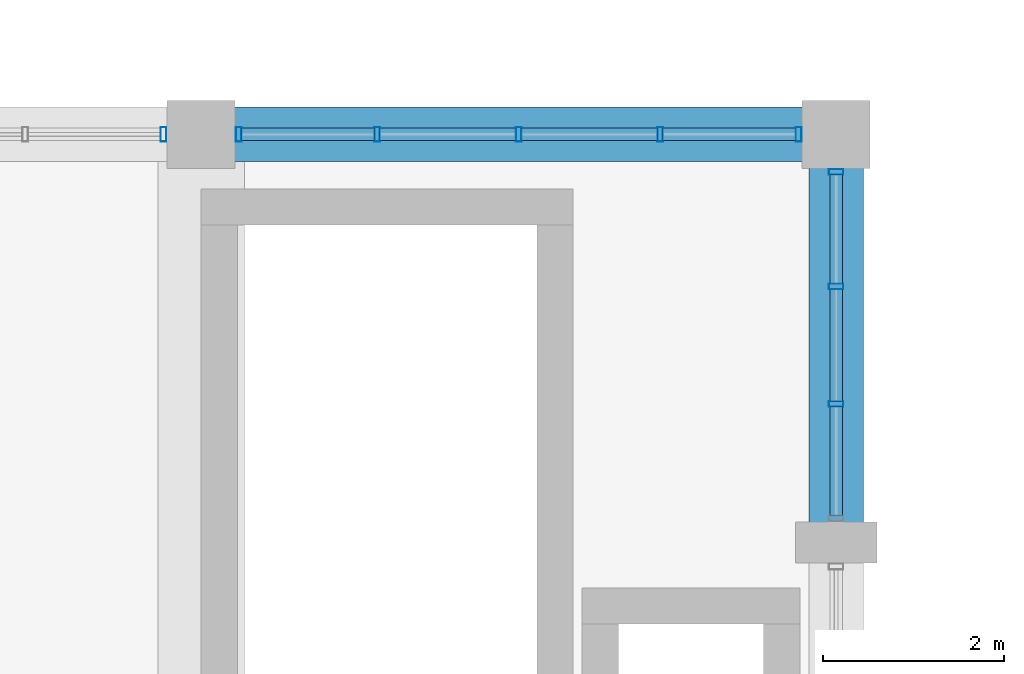
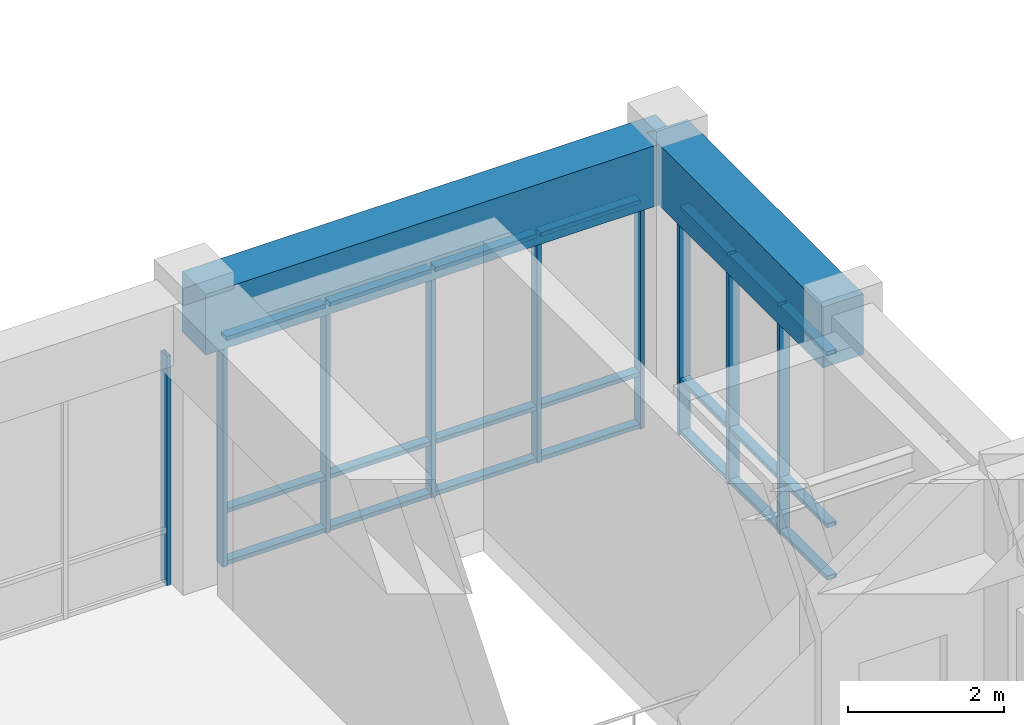
# One storey, part 61 of 99: 30 members, 2 beams, 3 elements without a shape of their own.
"""IFC4 building model written with IfcOpenShell, lengths in metres."""

from ifc_helpers import new_model, si_unit, direction, frame, origin, origin_2d, place, context, subcontext, project, spatial, rectangle, hollow_rectangle, extrude, material, layer, layer_set, material_profile, profile_set, type_object, element, aggregate, save


model = new_model("IFC4")

# Units and contexts
model_context = context("Model", 3, precision=1e-05, world=origin(), true_north=direction((0.0, 1.0)))
body_context = subcontext(model_context, "Body", "Model", "MODEL_VIEW")
ifc_project = project(units=[si_unit("LENGTHUNIT", "METRE"), si_unit("AREAUNIT", "SQUARE_METRE"), si_unit("VOLUMEUNIT", "CUBIC_METRE"), si_unit("PLANEANGLEUNIT", "RADIAN"), si_unit("MASSUNIT", "GRAM", prefix="KILO")], contexts=[model_context])

# Site, building, storey
site_placement = place(None, origin())
site = spatial("IfcSite", under=ifc_project, at=site_placement, CompositionType="ELEMENT")
building_placement = place(site_placement, origin())
building = spatial("IfcBuilding", under=site, at=building_placement, Name="Ventoquebrada Cableway Terminal", CompositionType="ELEMENT")
storey_placement = place(building_placement, frame((0.0, 0.0, 9.60009765625)))
storey = spatial("IfcBuildingStorey", under=building, at=storey_placement, Name="L02", CompositionType="ELEMENT", Elevation=9.60009765625)

# Beams
ifc_material_1 = material(Name="Concrete C40/50", Category="concrete")
ifc_material_profile_1 = material_profile(ifc_material_1, rectangle(XDim=0.60009765625, YDim=0.949951171875, at=origin_2d()), Name="RC-BM-600X950")
ifc_profile_set_1 = profile_set([ifc_material_profile_1], Name="Concrete C40/50")
beam_type = type_object("IfcBeamType", Name="BM-RC05", PredefinedType="BEAM", material=ifc_profile_set_1)
beam_1_placement = place(storey_placement, frame((116.0, 104.0, 4.054931640625), z_axis=(1.0, 0.0, 0.0), x_axis=(0.0, 1.0, 0.0)))
element("IfcBeam", 1, at=beam_1_placement, inside=storey, type_object=beam_type, Name="Perimeter spandrel beam FBM-0679", PredefinedType="BEAM", context=body_context, shape_type="SweptSolid", body=[
    extrude(rectangle(XDim=0.60009765625, YDim=0.949951171875, at=origin_2d()), origin(), (0.0, 0.0, 1.0), 7.0),
])
beam_2_placement = place(storey_placement, frame((123.0, 99.5, 4.054931640625), z_axis=(0.0, 1.0, 0.0), x_axis=(-1.0, 0.0, 0.0)))
element("IfcBeam", 2, at=beam_2_placement, inside=storey, type_object=beam_type, Name="Perimeter spandrel beam FBM-0700", PredefinedType="BEAM", context=body_context, shape_type="SweptSolid", body=[
    extrude(rectangle(XDim=0.60009765625, YDim=0.949951171875, at=origin_2d()), origin(), (0.0, 0.0, 1.0), 4.5),
])

# Curtain wall, members
ifc_material_2 = material(Name="Anodized thermally-broken aluminium", Category="aluminium")
ifc_layer_1 = layer(ifc_material_2, 0.159912109375)
ifc_layer_set_1 = layer_set([ifc_layer_1], Name="Anodized thermally-broken aluminium")
curtain_wall_type_1 = type_object("IfcCurtainWallType", Name="CW-T28", PredefinedType="USERDEFINED", material=ifc_layer_set_1)
curtain_wall_1_placement = place(storey_placement, origin())
curtain_wall_1 = element("IfcCurtainWall", 3, at=curtain_wall_1_placement, inside=storey, type_object=curtain_wall_type_1, Name="Unitised glazed curtain wall CW-068", ObjectType="UNITISED CURTAIN WALL", PredefinedType="USERDEFINED")
ifc_material_profile_2 = material_profile(ifc_material_2, hollow_rectangle(XDim=0.06494140625, YDim=0.159912109375, WallThickness=0.00390625, at=origin_2d()), Name="CW-MUL-65X160")
ifc_profile_set_2 = profile_set([ifc_material_profile_2], Name="Anodized thermally-broken aluminium")
member_type_1 = type_object("IfcMemberType", Name="CWM-01", PredefinedType="MULLION", material=ifc_profile_set_2)
member_1_placement = place(storey_placement, frame((123.0, 101.027099609375, -0.008056640625), z_axis=(0.0, 0.0, 1.0), x_axis=(0.0, 1.0, 0.0)))
member_1 = element("IfcMember", 4, at=member_1_placement, type_object=member_type_1, Name="Curtain wall mullion FML-0317", PredefinedType="MULLION", context=body_context, shape_type="SweptSolid", body=[
    extrude(hollow_rectangle(XDim=0.06494140625, YDim=0.159912109375, WallThickness=0.00390625, at=origin_2d()), origin(), (0.0, 0.0, 1.0), 3.587890625),
])
member_2_placement = place(storey_placement, frame((123.0, 102.322998046875, -0.008056640625), z_axis=(0.0, 0.0, 1.0), x_axis=(0.0, 1.0, 0.0)))
member_2 = element("IfcMember", 5, at=member_2_placement, type_object=member_type_1, Name="Curtain wall mullion FML-0318", PredefinedType="MULLION", context=body_context, shape_type="SweptSolid", body=[
    extrude(hollow_rectangle(XDim=0.06494140625, YDim=0.159912109375, WallThickness=0.00390625, at=origin_2d()), origin(), (0.0, 0.0, 1.0), 3.587890625),
])
member_3_placement = place(storey_placement, frame((123.0, 103.5849609375, -0.008056640625), z_axis=(0.0, 0.0, 1.0), x_axis=(0.0, 1.0, 0.0)))
member_3 = element("IfcMember", 6, at=member_3_placement, type_object=member_type_1, Name="Curtain wall mullion FML-0319", PredefinedType="MULLION", context=body_context, shape_type="SweptSolid", body=[
    extrude(hollow_rectangle(XDim=0.06494140625, YDim=0.159912109375, WallThickness=0.00390625, at=origin_2d()), origin(), (0.0, 0.0, 1.0), 3.587890625),
])

# Curtain wall, member
ifc_layer_2 = layer(ifc_material_2, 0.159912109375)
ifc_layer_set_2 = layer_set([ifc_layer_2], Name="Anodized thermally-broken aluminium")
curtain_wall_type_2 = type_object("IfcCurtainWallType", Name="CW-T29", PredefinedType="USERDEFINED", material=ifc_layer_set_2)
curtain_wall_2_placement = place(storey_placement, origin())
curtain_wall_2 = element("IfcCurtainWall", 7, at=curtain_wall_2_placement, inside=storey, type_object=curtain_wall_type_2, Name="Unitised glazed curtain wall CW-071", ObjectType="UNITISED CURTAIN WALL", PredefinedType="USERDEFINED")
member_4_placement = place(storey_placement, frame((115.5849609375, 104.0, -0.008056640625), z_axis=(0.0, 0.0, 1.0), x_axis=(-1.0, 0.0, 0.0)))
member_4 = element("IfcMember", 8, at=member_4_placement, type_object=member_type_1, Name="Curtain wall mullion FML-0330", PredefinedType="MULLION", context=body_context, shape_type="SweptSolid", body=[
    extrude(hollow_rectangle(XDim=0.06494140625, YDim=0.159912109375, WallThickness=0.00390625, at=origin_2d()), origin(), (0.0, 0.0, 1.0), 3.587890625),
])
aggregate(curtain_wall_2, [member_4])

# Curtain wall, members
curtain_wall_3_placement = place(storey_placement, origin())
curtain_wall_3 = element("IfcCurtainWall", 9, at=curtain_wall_3_placement, inside=storey, type_object=curtain_wall_type_2, Name="Unitised glazed curtain wall CW-072", ObjectType="UNITISED CURTAIN WALL", PredefinedType="USERDEFINED")
member_5_placement = place(storey_placement, frame((122.5849609375, 104.0, -0.008056640625), z_axis=(0.0, 0.0, 1.0), x_axis=(-1.0, 0.0, 0.0)))
member_5 = element("IfcMember", 10, at=member_5_placement, type_object=member_type_1, Name="Curtain wall mullion FML-0335", PredefinedType="MULLION", context=body_context, shape_type="SweptSolid", body=[
    extrude(hollow_rectangle(XDim=0.06494140625, YDim=0.159912109375, WallThickness=0.00390625, at=origin_2d()), origin(), (0.0, 0.0, 1.0), 3.587890625),
])
member_6_placement = place(storey_placement, frame((121.06005859375, 104.0, -0.008056640625), z_axis=(0.0, 0.0, 1.0), x_axis=(-1.0, 0.0, 0.0)))
member_6 = element("IfcMember", 11, at=member_6_placement, type_object=member_type_1, Name="Curtain wall mullion FML-0336", PredefinedType="MULLION", context=body_context, shape_type="SweptSolid", body=[
    extrude(hollow_rectangle(XDim=0.06494140625, YDim=0.159912109375, WallThickness=0.00390625, at=origin_2d()), origin(), (0.0, 0.0, 1.0), 3.587890625),
])
member_7_placement = place(storey_placement, frame((119.5, 104.0, -0.008056640625), z_axis=(0.0, 0.0, 1.0), x_axis=(-1.0, 0.0, 0.0)))
member_7 = element("IfcMember", 12, at=member_7_placement, type_object=member_type_1, Name="Curtain wall mullion FML-0337", PredefinedType="MULLION", context=body_context, shape_type="SweptSolid", body=[
    extrude(hollow_rectangle(XDim=0.06494140625, YDim=0.159912109375, WallThickness=0.00390625, at=origin_2d()), origin(), (0.0, 0.0, 1.0), 3.587890625),
])
member_8_placement = place(storey_placement, frame((117.93994140625, 104.0, -0.008056640625), z_axis=(0.0, 0.0, 1.0), x_axis=(-1.0, 0.0, 0.0)))
member_8 = element("IfcMember", 13, at=member_8_placement, type_object=member_type_1, Name="Curtain wall mullion FML-0338", PredefinedType="MULLION", context=body_context, shape_type="SweptSolid", body=[
    extrude(hollow_rectangle(XDim=0.06494140625, YDim=0.159912109375, WallThickness=0.00390625, at=origin_2d()), origin(), (0.0, 0.0, 1.0), 3.587890625),
])
member_9_placement = place(storey_placement, frame((116.4150390625, 104.0, -0.008056640625), z_axis=(0.0, 0.0, 1.0), x_axis=(-1.0, 0.0, 0.0)))
member_9 = element("IfcMember", 14, at=member_9_placement, type_object=member_type_1, Name="Curtain wall mullion FML-0339", PredefinedType="MULLION", context=body_context, shape_type="SweptSolid", body=[
    extrude(hollow_rectangle(XDim=0.06494140625, YDim=0.159912109375, WallThickness=0.00390625, at=origin_2d()), origin(), (0.0, 0.0, 1.0), 3.587890625),
])

# Member
ifc_material_profile_3 = material_profile(ifc_material_2, hollow_rectangle(XDim=0.06494140625, YDim=0.139892578125, WallThickness=0.00390625, at=origin_2d()), Name="CW-TRN-65X140")
ifc_profile_set_3 = profile_set([ifc_material_profile_3], Name="Anodized thermally-broken aluminium")
member_type_2 = type_object("IfcMemberType", Name="CWT-01", PredefinedType="USERDEFINED", material=ifc_profile_set_3)
member_10_placement = place(storey_placement, frame((123.0, 99.79296875, 0.034912109375), z_axis=(0.0, 1.0, 0.0), x_axis=(0.0, 0.0, 1.0)))
member_10 = element("IfcMember", 15, at=member_10_placement, type_object=member_type_2, Name="Curtain wall transom FTR-0919", ObjectType="TRANSOM", PredefinedType="USERDEFINED", context=body_context, shape_type="SweptSolid", body=[
    extrude(hollow_rectangle(XDim=0.06494140625, YDim=0.139892578125, WallThickness=0.00390625, at=origin_2d()), origin(), (0.0, 0.0, 1.0), 1.2060546875),
])

member_11_placement = place(storey_placement, frame((123.0, 99.79296875, 0.849853515625), z_axis=(0.0, 1.0, 0.0), x_axis=(0.0, 0.0, 1.0)))
member_11 = element("IfcMember", 16, at=member_11_placement, type_object=member_type_2, Name="Curtain wall transom FTR-0920", ObjectType="TRANSOM", PredefinedType="USERDEFINED", context=body_context, shape_type="SweptSolid", body=[
    extrude(hollow_rectangle(XDim=0.06494140625, YDim=0.139892578125, WallThickness=0.00390625, at=origin_2d()), origin(), (0.0, 0.0, 1.0), 1.2060546875),
])

member_12_placement = place(storey_placement, frame((123.0, 99.79296875, 3.539794921875), z_axis=(0.0, 1.0, 0.0), x_axis=(0.0, 0.0, 1.0)))
member_12 = element("IfcMember", 17, at=member_12_placement, type_object=member_type_2, Name="Curtain wall transom FTR-0921", ObjectType="TRANSOM", PredefinedType="USERDEFINED", context=body_context, shape_type="SweptSolid", body=[
    extrude(hollow_rectangle(XDim=0.06494140625, YDim=0.139892578125, WallThickness=0.00390625, at=origin_2d()), origin(), (0.0, 0.0, 1.0), 1.2060546875),
])

member_13_placement = place(storey_placement, frame((123.0, 101.053955078125, 0.034912109375), z_axis=(0.0, 1.0, 0.0), x_axis=(0.0, 0.0, 1.0)))
member_13 = element("IfcMember", 18, at=member_13_placement, type_object=member_type_2, Name="Curtain wall transom FTR-0922", ObjectType="TRANSOM", PredefinedType="USERDEFINED", context=body_context, shape_type="SweptSolid", body=[
    extrude(hollow_rectangle(XDim=0.06494140625, YDim=0.139892578125, WallThickness=0.00390625, at=origin_2d()), origin(), (0.0, 0.0, 1.0), 1.241943359375),
])

member_14_placement = place(storey_placement, frame((123.0, 101.053955078125, 0.849853515625), z_axis=(0.0, 1.0, 0.0), x_axis=(0.0, 0.0, 1.0)))
member_14 = element("IfcMember", 19, at=member_14_placement, type_object=member_type_2, Name="Curtain wall transom FTR-0923", ObjectType="TRANSOM", PredefinedType="USERDEFINED", context=body_context, shape_type="SweptSolid", body=[
    extrude(hollow_rectangle(XDim=0.06494140625, YDim=0.139892578125, WallThickness=0.00390625, at=origin_2d()), origin(), (0.0, 0.0, 1.0), 1.241943359375),
])

member_15_placement = place(storey_placement, frame((123.0, 101.053955078125, 3.539794921875), z_axis=(0.0, 1.0, 0.0), x_axis=(0.0, 0.0, 1.0)))
member_15 = element("IfcMember", 20, at=member_15_placement, type_object=member_type_2, Name="Curtain wall transom FTR-0924", ObjectType="TRANSOM", PredefinedType="USERDEFINED", context=body_context, shape_type="SweptSolid", body=[
    extrude(hollow_rectangle(XDim=0.06494140625, YDim=0.139892578125, WallThickness=0.00390625, at=origin_2d()), origin(), (0.0, 0.0, 1.0), 1.241943359375),
])

member_16_placement = place(storey_placement, frame((123.0, 102.35107421875, 0.034912109375), z_axis=(0.0, 1.0, 0.0), x_axis=(0.0, 0.0, 1.0)))
member_16 = element("IfcMember", 21, at=member_16_placement, type_object=member_type_2, Name="Curtain wall transom FTR-0925", ObjectType="TRANSOM", PredefinedType="USERDEFINED", context=body_context, shape_type="SweptSolid", body=[
    extrude(hollow_rectangle(XDim=0.06494140625, YDim=0.139892578125, WallThickness=0.00390625, at=origin_2d()), origin(), (0.0, 0.0, 1.0), 1.20703125),
])

member_17_placement = place(storey_placement, frame((123.0, 102.35107421875, 0.849853515625), z_axis=(0.0, 1.0, 0.0), x_axis=(0.0, 0.0, 1.0)))
member_17 = element("IfcMember", 22, at=member_17_placement, type_object=member_type_2, Name="Curtain wall transom FTR-0926", ObjectType="TRANSOM", PredefinedType="USERDEFINED", context=body_context, shape_type="SweptSolid", body=[
    extrude(hollow_rectangle(XDim=0.06494140625, YDim=0.139892578125, WallThickness=0.00390625, at=origin_2d()), origin(), (0.0, 0.0, 1.0), 1.20703125),
])

member_18_placement = place(storey_placement, frame((123.0, 102.35107421875, 3.539794921875), z_axis=(0.0, 1.0, 0.0), x_axis=(0.0, 0.0, 1.0)))
member_18 = element("IfcMember", 23, at=member_18_placement, type_object=member_type_2, Name="Curtain wall transom FTR-0927", ObjectType="TRANSOM", PredefinedType="USERDEFINED", context=body_context, shape_type="SweptSolid", body=[
    extrude(hollow_rectangle(XDim=0.06494140625, YDim=0.139892578125, WallThickness=0.00390625, at=origin_2d()), origin(), (0.0, 0.0, 1.0), 1.20703125),
])

aggregate(curtain_wall_1, [member_1, member_2, member_3, member_10, member_11, member_12, member_13, member_14, member_15, member_16, member_17, member_18])

member_19_placement = place(storey_placement, frame((122.55810546875, 104.0, 0.034912109375), z_axis=(-1.0, 0.0, 0.0), x_axis=(0.0, 0.0, 1.0)))
member_19 = element("IfcMember", 24, at=member_19_placement, type_object=member_type_2, Name="Curtain wall transom FTR-0964", ObjectType="TRANSOM", PredefinedType="USERDEFINED", context=body_context, shape_type="SweptSolid", body=[
    extrude(hollow_rectangle(XDim=0.06494140625, YDim=0.139892578125, WallThickness=0.00390625, at=origin_2d()), origin(), (0.0, 0.0, 1.0), 1.47021484375),
])

member_20_placement = place(storey_placement, frame((122.55810546875, 104.0, 0.849853515625), z_axis=(-1.0, 0.0, 0.0), x_axis=(0.0, 0.0, 1.0)))
member_20 = element("IfcMember", 25, at=member_20_placement, type_object=member_type_2, Name="Curtain wall transom FTR-0965", ObjectType="TRANSOM", PredefinedType="USERDEFINED", context=body_context, shape_type="SweptSolid", body=[
    extrude(hollow_rectangle(XDim=0.06494140625, YDim=0.139892578125, WallThickness=0.00390625, at=origin_2d()), origin(), (0.0, 0.0, 1.0), 1.47021484375),
])

member_21_placement = place(storey_placement, frame((122.55810546875, 104.0, 3.539794921875), z_axis=(-1.0, 0.0, 0.0), x_axis=(0.0, 0.0, 1.0)))
member_21 = element("IfcMember", 26, at=member_21_placement, type_object=member_type_2, Name="Curtain wall transom FTR-0966", ObjectType="TRANSOM", PredefinedType="USERDEFINED", context=body_context, shape_type="SweptSolid", body=[
    extrude(hollow_rectangle(XDim=0.06494140625, YDim=0.139892578125, WallThickness=0.00390625, at=origin_2d()), origin(), (0.0, 0.0, 1.0), 1.47021484375),
])

member_22_placement = place(storey_placement, frame((121.031982421875, 104.0, 0.034912109375), z_axis=(-1.0, 0.0, 0.0), x_axis=(0.0, 0.0, 1.0)))
member_22 = element("IfcMember", 27, at=member_22_placement, type_object=member_type_2, Name="Curtain wall transom FTR-0967", ObjectType="TRANSOM", PredefinedType="USERDEFINED", context=body_context, shape_type="SweptSolid", body=[
    extrude(hollow_rectangle(XDim=0.06494140625, YDim=0.139892578125, WallThickness=0.00390625, at=origin_2d()), origin(), (0.0, 0.0, 1.0), 1.50390625),
])

member_23_placement = place(storey_placement, frame((121.031982421875, 104.0, 0.849853515625), z_axis=(-1.0, 0.0, 0.0), x_axis=(0.0, 0.0, 1.0)))
member_23 = element("IfcMember", 28, at=member_23_placement, type_object=member_type_2, Name="Curtain wall transom FTR-0968", ObjectType="TRANSOM", PredefinedType="USERDEFINED", context=body_context, shape_type="SweptSolid", body=[
    extrude(hollow_rectangle(XDim=0.06494140625, YDim=0.139892578125, WallThickness=0.00390625, at=origin_2d()), origin(), (0.0, 0.0, 1.0), 1.50390625),
])

member_24_placement = place(storey_placement, frame((121.031982421875, 104.0, 3.539794921875), z_axis=(-1.0, 0.0, 0.0), x_axis=(0.0, 0.0, 1.0)))
member_24 = element("IfcMember", 29, at=member_24_placement, type_object=member_type_2, Name="Curtain wall transom FTR-0969", ObjectType="TRANSOM", PredefinedType="USERDEFINED", context=body_context, shape_type="SweptSolid", body=[
    extrude(hollow_rectangle(XDim=0.06494140625, YDim=0.139892578125, WallThickness=0.00390625, at=origin_2d()), origin(), (0.0, 0.0, 1.0), 1.50390625),
])

member_25_placement = place(storey_placement, frame((119.471923828125, 104.0, 0.034912109375), z_axis=(-1.0, 0.0, 0.0), x_axis=(0.0, 0.0, 1.0)))
member_25 = element("IfcMember", 30, at=member_25_placement, type_object=member_type_2, Name="Curtain wall transom FTR-0970", ObjectType="TRANSOM", PredefinedType="USERDEFINED", context=body_context, shape_type="SweptSolid", body=[
    extrude(hollow_rectangle(XDim=0.06494140625, YDim=0.139892578125, WallThickness=0.00390625, at=origin_2d()), origin(), (0.0, 0.0, 1.0), 1.50390625),
])

member_26_placement = place(storey_placement, frame((119.471923828125, 104.0, 0.849853515625), z_axis=(-1.0, 0.0, 0.0), x_axis=(0.0, 0.0, 1.0)))
member_26 = element("IfcMember", 31, at=member_26_placement, type_object=member_type_2, Name="Curtain wall transom FTR-0971", ObjectType="TRANSOM", PredefinedType="USERDEFINED", context=body_context, shape_type="SweptSolid", body=[
    extrude(hollow_rectangle(XDim=0.06494140625, YDim=0.139892578125, WallThickness=0.00390625, at=origin_2d()), origin(), (0.0, 0.0, 1.0), 1.50390625),
])

member_27_placement = place(storey_placement, frame((119.471923828125, 104.0, 3.539794921875), z_axis=(-1.0, 0.0, 0.0), x_axis=(0.0, 0.0, 1.0)))
member_27 = element("IfcMember", 32, at=member_27_placement, type_object=member_type_2, Name="Curtain wall transom FTR-0972", ObjectType="TRANSOM", PredefinedType="USERDEFINED", context=body_context, shape_type="SweptSolid", body=[
    extrude(hollow_rectangle(XDim=0.06494140625, YDim=0.139892578125, WallThickness=0.00390625, at=origin_2d()), origin(), (0.0, 0.0, 1.0), 1.50390625),
])

member_28_placement = place(storey_placement, frame((117.912109375, 104.0, 0.034912109375), z_axis=(-1.0, 0.0, 0.0), x_axis=(0.0, 0.0, 1.0)))
member_28 = element("IfcMember", 33, at=member_28_placement, type_object=member_type_2, Name="Curtain wall transom FTR-0973", ObjectType="TRANSOM", PredefinedType="USERDEFINED", context=body_context, shape_type="SweptSolid", body=[
    extrude(hollow_rectangle(XDim=0.06494140625, YDim=0.139892578125, WallThickness=0.00390625, at=origin_2d()), origin(), (0.0, 0.0, 1.0), 1.47021484375),
])

member_29_placement = place(storey_placement, frame((117.912109375, 104.0, 0.849853515625), z_axis=(-1.0, 0.0, 0.0), x_axis=(0.0, 0.0, 1.0)))
member_29 = element("IfcMember", 34, at=member_29_placement, type_object=member_type_2, Name="Curtain wall transom FTR-0974", ObjectType="TRANSOM", PredefinedType="USERDEFINED", context=body_context, shape_type="SweptSolid", body=[
    extrude(hollow_rectangle(XDim=0.06494140625, YDim=0.139892578125, WallThickness=0.00390625, at=origin_2d()), origin(), (0.0, 0.0, 1.0), 1.47021484375),
])

member_30_placement = place(storey_placement, frame((117.912109375, 104.0, 3.539794921875), z_axis=(-1.0, 0.0, 0.0), x_axis=(0.0, 0.0, 1.0)))
member_30 = element("IfcMember", 35, at=member_30_placement, type_object=member_type_2, Name="Curtain wall transom FTR-0975", ObjectType="TRANSOM", PredefinedType="USERDEFINED", context=body_context, shape_type="SweptSolid", body=[
    extrude(hollow_rectangle(XDim=0.06494140625, YDim=0.139892578125, WallThickness=0.00390625, at=origin_2d()), origin(), (0.0, 0.0, 1.0), 1.47021484375),
])

aggregate(curtain_wall_3, [member_5, member_6, member_7, member_8, member_9, member_19, member_20, member_21, member_22, member_23, member_24, member_25, member_26, member_27, member_28, member_29, member_30])

save(model, "model.ifc")
